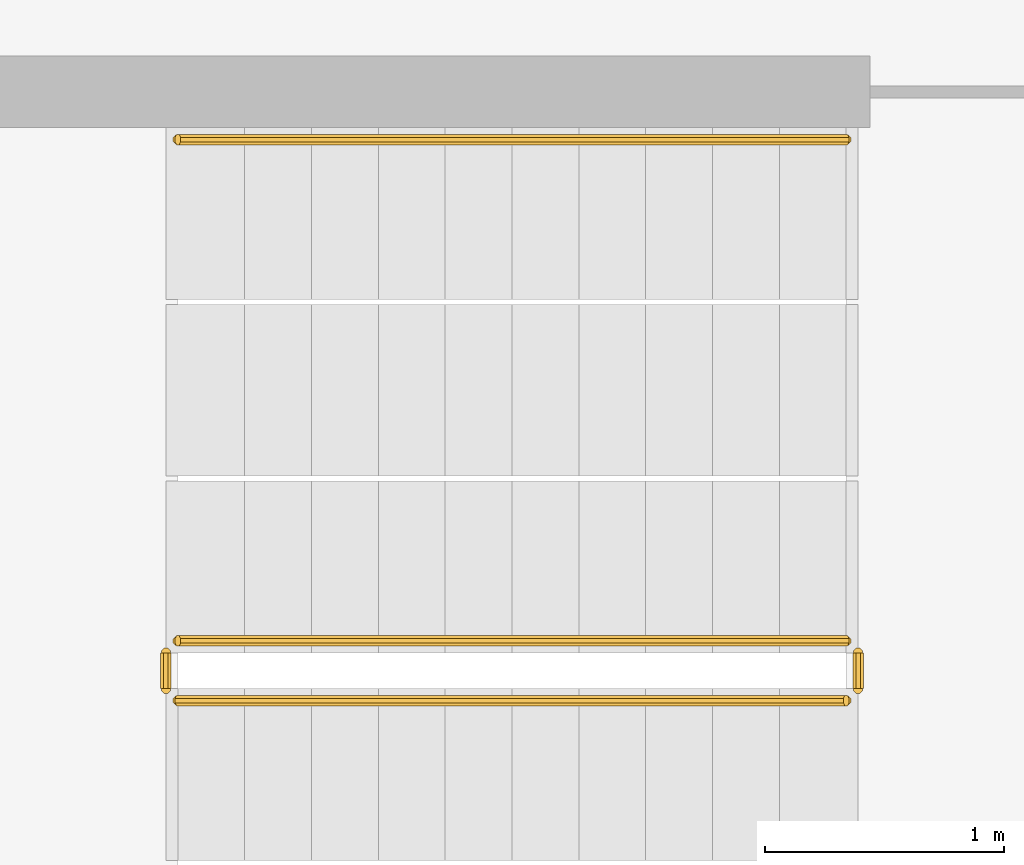
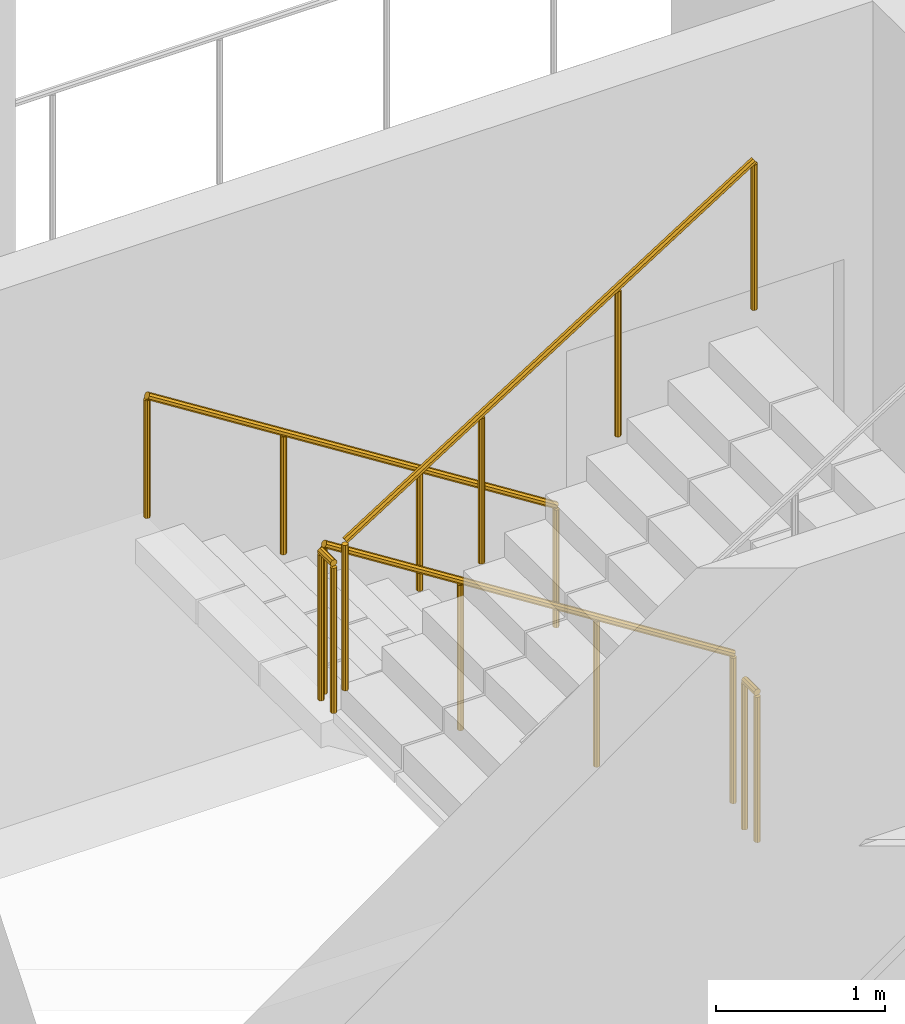
# One storey, part 19 of 26: 5 railings.
"""IFC4 building model written with IfcOpenShell, lengths in metres."""

from ifc_helpers import new_model, si_unit, direction, frame, origin, place, context, subcontext, project, spatial, polyline, outline, extrude, material, type_object, element, save


model = new_model("IFC4")

# Units and contexts
model_context = context("Model", 3, precision=1e-05, world=origin(), true_north=direction((0.0, 1.0)))
body_context = subcontext(model_context, "Body", "Model", "MODEL_VIEW")
ifc_project = project(units=[si_unit("LENGTHUNIT", "METRE"), si_unit("AREAUNIT", "SQUARE_METRE"), si_unit("VOLUMEUNIT", "CUBIC_METRE"), si_unit("PLANEANGLEUNIT", "RADIAN"), si_unit("MASSUNIT", "GRAM", prefix="KILO")], contexts=[model_context])

# Site, building, storey
site_placement = place(None, origin())
site = spatial("IfcSite", under=ifc_project, at=site_placement, CompositionType="ELEMENT")
building_placement = place(site_placement, origin())
building = spatial("IfcBuilding", under=site, at=building_placement, Name="Cormorant Relay Tower", CompositionType="ELEMENT")
storey_placement = place(building_placement, frame((0.0, 0.0, 220.800048828125)))
storey = spatial("IfcBuildingStorey", under=building, at=storey_placement, Name="L48", CompositionType="ELEMENT", Elevation=220.800048828125)

# Railings
ifc_material_1 = material(Name="Steel ASTM A572 Grade 50 (Fy 345 MPa)", Category="steel")
railing_type_1 = type_object("IfcRailingType", Name="Stair guard 1100", PredefinedType="GUARDRAIL", material=ifc_material_1)
railing_1_placement = place(storey_placement, frame((1.60009765625, -18.27490234375, 0.17724609375)))
element("IfcRailing", 1, at=railing_1_placement, inside=storey, type_object=railing_type_1, Name="L48 RK1 stair guard 1", PredefinedType="GUARDRAIL", context=body_context, shape_type="SweptSolid", body=[
    extrude(outline(polyline([(0.022216796875, 0.00927734375), (0.00927734375, 0.022216796875), (-0.00927734375, 0.022216796875), (-0.022216796875, 0.00927734375), (-0.022216796875, -0.00927734375), (-0.00927734375, -0.022216796875), (0.00927734375, -0.022216796875), (0.022216796875, -0.00927734375), (0.022216796875, 0.00927734375)])), frame((0.0, 0.0, 1.076171875), z_axis=(-0.844908973607, 0.0, 0.534910110503), x_axis=(0.0, -1.0, 0.0)), (0.0, 0.0, 1.0), 3.31396484375),
    extrude(outline(polyline([(0.019287109375, 0.008056640625), (0.008056640625, 0.019287109375), (-0.008056640625, 0.019287109375), (-0.019287109375, 0.008056640625), (-0.019287109375, -0.008056640625), (-0.008056640625, -0.019287109375), (0.008056640625, -0.019287109375), (0.019287109375, -0.008056640625), (0.019287109375, 0.008056640625)])), origin(), (0.0, 0.0, 1.0), 1.052001953125),
    extrude(outline(polyline([(0.019287109375, 0.008056640625), (0.008056640625, 0.019287109375), (-0.008056640625, 0.019287109375), (-0.019287109375, 0.008056640625), (-0.019287109375, -0.008056640625), (-0.008056640625, -0.019287109375), (0.008056640625, -0.019287109375), (0.019287109375, -0.008056640625), (0.019287109375, 0.008056640625)])), frame((-0.933349609375, 0.0, 0.5908203125)), (0.0, 0.0, 1.0), 1.052001953125),
    extrude(outline(polyline([(0.019287109375, 0.008056640625), (0.008056640625, 0.019287109375), (-0.008056640625, 0.019287109375), (-0.019287109375, 0.008056640625), (-0.019287109375, -0.008056640625), (-0.008056640625, -0.019287109375), (0.008056640625, -0.019287109375), (0.019287109375, -0.008056640625), (0.019287109375, 0.008056640625)])), frame((-1.86669921875, 0.0, 1.181884765625)), (0.0, 0.0, 1.0), 1.052001953125),
    extrude(outline(polyline([(0.019287109375, 0.008056640625), (0.008056640625, 0.019287109375), (-0.008056640625, 0.019287109375), (-0.019287109375, 0.008056640625), (-0.019287109375, -0.008056640625), (-0.008056640625, -0.019287109375), (0.008056640625, -0.019287109375), (0.019287109375, -0.008056640625), (0.019287109375, 0.008056640625)])), frame((-2.800048828125, 0.0, 1.772705078125)), (0.0, 0.0, 1.0), 1.052001953125),
])
railing_2_placement = place(storey_placement, frame((-1.25, -18.324951171875, 1.949951171875)))
element("IfcRailing", 2, at=railing_2_placement, inside=storey, type_object=railing_type_1, Name="L48 RK1 stair guard 2", PredefinedType="GUARDRAIL", context=body_context, shape_type="SweptSolid", body=[
    extrude(outline(polyline([(0.022216796875, 0.00927734375), (0.00927734375, 0.022216796875), (-0.00927734375, 0.022216796875), (-0.022216796875, 0.00927734375), (-0.022216796875, -0.00927734375), (-0.00927734375, -0.022216796875), (0.00927734375, -0.022216796875), (0.022216796875, -0.00927734375), (0.022216796875, 0.00927734375)])), frame((0.0, 0.0, 1.076171875), z_axis=(0.0, -1.0, 0.0), x_axis=(1.0, 0.0, 0.0)), (0.0, 0.0, 1.0), 0.150146484375),
    extrude(outline(polyline([(0.019287109375, 0.008056640625), (0.008056640625, 0.019287109375), (-0.008056640625, 0.019287109375), (-0.019287109375, 0.008056640625), (-0.019287109375, -0.008056640625), (-0.008056640625, -0.019287109375), (0.008056640625, -0.019287109375), (0.019287109375, -0.008056640625), (0.019287109375, 0.008056640625)])), origin(), (0.0, 0.0, 1.0), 1.052001953125),
    extrude(outline(polyline([(0.019287109375, 0.008056640625), (0.008056640625, 0.019287109375), (-0.008056640625, 0.019287109375), (-0.019287109375, 0.008056640625), (-0.019287109375, -0.008056640625), (-0.008056640625, -0.019287109375), (0.008056640625, -0.019287109375), (0.019287109375, -0.008056640625), (0.019287109375, 0.008056640625)])), frame((0.0, -0.150146484375, 0.0)), (0.0, 0.0, 1.0), 1.052001953125),
])
railing_3_placement = place(storey_placement, frame((-1.199951171875, -18.52490234375, 2.127197265625)))
element("IfcRailing", 3, at=railing_3_placement, inside=storey, type_object=railing_type_1, Name="L48 RK1 stair guard 3", PredefinedType="GUARDRAIL", context=body_context, shape_type="SweptSolid", body=[
    extrude(outline(polyline([(0.022216796875, 0.00927734375), (0.00927734375, 0.022216796875), (-0.00927734375, 0.022216796875), (-0.022216796875, 0.00927734375), (-0.022216796875, -0.00927734375), (-0.00927734375, -0.022216796875), (0.00927734375, -0.022216796875), (0.022216796875, -0.00927734375), (0.022216796875, 0.00927734375)])), frame((0.0, 0.0, 1.076171875), z_axis=(0.844908973607, 0.0, 0.534910110503), x_axis=(0.0, 1.0, 0.0)), (0.0, 0.0, 1.0), 3.31396484375),
    extrude(outline(polyline([(0.019287109375, 0.008056640625), (0.008056640625, 0.019287109375), (-0.008056640625, 0.019287109375), (-0.019287109375, 0.008056640625), (-0.019287109375, -0.008056640625), (-0.008056640625, -0.019287109375), (0.008056640625, -0.019287109375), (0.019287109375, -0.008056640625), (0.019287109375, 0.008056640625)])), origin(), (0.0, 0.0, 1.0), 1.052001953125),
    extrude(outline(polyline([(0.019287109375, 0.008056640625), (0.008056640625, 0.019287109375), (-0.008056640625, 0.019287109375), (-0.019287109375, 0.008056640625), (-0.019287109375, -0.008056640625), (-0.008056640625, -0.019287109375), (0.008056640625, -0.019287109375), (0.019287109375, -0.008056640625), (0.019287109375, 0.008056640625)])), frame((0.933349609375, 0.0, 0.5908203125)), (0.0, 0.0, 1.0), 1.052001953125),
    extrude(outline(polyline([(0.019287109375, 0.008056640625), (0.008056640625, 0.019287109375), (-0.008056640625, 0.019287109375), (-0.019287109375, 0.008056640625), (-0.019287109375, -0.008056640625), (-0.008056640625, -0.019287109375), (0.008056640625, -0.019287109375), (0.019287109375, -0.008056640625), (0.019287109375, 0.008056640625)])), frame((1.86669921875, 0.0, 1.181884765625)), (0.0, 0.0, 1.0), 1.052001953125),
    extrude(outline(polyline([(0.019287109375, 0.008056640625), (0.008056640625, 0.019287109375), (-0.008056640625, 0.019287109375), (-0.019287109375, 0.008056640625), (-0.019287109375, -0.008056640625), (-0.008056640625, -0.019287109375), (0.008056640625, -0.019287109375), (0.019287109375, -0.008056640625), (0.019287109375, 0.008056640625)])), frame((2.800048828125, 0.0, 1.772705078125)), (0.0, 0.0, 1.0), 1.052001953125),
])
railing_4_placement = place(storey_placement, frame((1.64990234375, -18.324951171875, 0.0)))
element("IfcRailing", 4, at=railing_4_placement, inside=storey, type_object=railing_type_1, Name="L48 RK1 stair guard 4", PredefinedType="GUARDRAIL", context=body_context, shape_type="SweptSolid", body=[
    extrude(outline(polyline([(0.022216796875, 0.00927734375), (0.00927734375, 0.022216796875), (-0.00927734375, 0.022216796875), (-0.022216796875, 0.00927734375), (-0.022216796875, -0.00927734375), (-0.00927734375, -0.022216796875), (0.00927734375, -0.022216796875), (0.022216796875, -0.00927734375), (0.022216796875, 0.00927734375)])), frame((0.0, 0.0, 1.076171875), z_axis=(0.0, -1.0, 0.0), x_axis=(1.0, 0.0, 0.0)), (0.0, 0.0, 1.0), 0.150146484375),
    extrude(outline(polyline([(0.019287109375, 0.008056640625), (0.008056640625, 0.019287109375), (-0.008056640625, 0.019287109375), (-0.019287109375, 0.008056640625), (-0.019287109375, -0.008056640625), (-0.008056640625, -0.019287109375), (0.008056640625, -0.019287109375), (0.019287109375, -0.008056640625), (0.019287109375, 0.008056640625)])), origin(), (0.0, 0.0, 1.0), 1.052001953125),
    extrude(outline(polyline([(0.019287109375, 0.008056640625), (0.008056640625, 0.019287109375), (-0.008056640625, 0.019287109375), (-0.019287109375, 0.008056640625), (-0.019287109375, -0.008056640625), (-0.008056640625, -0.019287109375), (0.008056640625, -0.019287109375), (0.019287109375, -0.008056640625), (0.019287109375, 0.008056640625)])), frame((0.0, -0.150146484375, 0.0)), (0.0, 0.0, 1.0), 1.052001953125),
])
ifc_material_2 = material(Name="Steel ASTM A572 Grade 50 (Fy 345 MPa)", Category="steel")
railing_type_2 = type_object("IfcRailingType", Name="Stair handrail 900", PredefinedType="HANDRAIL", material=ifc_material_2)
railing_5_placement = place(storey_placement, frame((1.60009765625, -16.175048828125, 0.17724609375)))
element("IfcRailing", 5, at=railing_5_placement, inside=storey, type_object=railing_type_2, Name="L48 RK1 stair handrail 1", PredefinedType="HANDRAIL", context=body_context, shape_type="SweptSolid", body=[
    extrude(outline(polyline([(0.022216796875, 0.00927734375), (0.00927734375, 0.022216796875), (-0.00927734375, 0.022216796875), (-0.022216796875, 0.00927734375), (-0.022216796875, -0.00927734375), (-0.00927734375, -0.022216796875), (0.00927734375, -0.022216796875), (0.022216796875, -0.00927734375), (0.022216796875, 0.00927734375)])), frame((0.0, 0.0, 0.8759765625), z_axis=(-0.844908973607, 0.0, 0.534910110503), x_axis=(0.0, -1.0, 0.0)), (0.0, 0.0, 1.0), 3.31396484375),
    extrude(outline(polyline([(0.019287109375, 0.008056640625), (0.008056640625, 0.019287109375), (-0.008056640625, 0.019287109375), (-0.019287109375, 0.008056640625), (-0.019287109375, -0.008056640625), (-0.008056640625, -0.019287109375), (0.008056640625, -0.019287109375), (0.019287109375, -0.008056640625), (0.019287109375, 0.008056640625)])), origin(), (0.0, 0.0, 1.0), 0.851806640625),
    extrude(outline(polyline([(0.019287109375, 0.008056640625), (0.008056640625, 0.019287109375), (-0.008056640625, 0.019287109375), (-0.019287109375, 0.008056640625), (-0.019287109375, -0.008056640625), (-0.008056640625, -0.019287109375), (0.008056640625, -0.019287109375), (0.019287109375, -0.008056640625), (0.019287109375, 0.008056640625)])), frame((-0.933349609375, 0.0, 0.5908203125)), (0.0, 0.0, 1.0), 0.851806640625),
    extrude(outline(polyline([(0.019287109375, 0.008056640625), (0.008056640625, 0.019287109375), (-0.008056640625, 0.019287109375), (-0.019287109375, 0.008056640625), (-0.019287109375, -0.008056640625), (-0.008056640625, -0.019287109375), (0.008056640625, -0.019287109375), (0.019287109375, -0.008056640625), (0.019287109375, 0.008056640625)])), frame((-1.86669921875, 0.0, 1.181884765625)), (0.0, 0.0, 1.0), 0.851806640625),
    extrude(outline(polyline([(0.019287109375, 0.008056640625), (0.008056640625, 0.019287109375), (-0.008056640625, 0.019287109375), (-0.019287109375, 0.008056640625), (-0.019287109375, -0.008056640625), (-0.008056640625, -0.019287109375), (0.008056640625, -0.019287109375), (0.019287109375, -0.008056640625), (0.019287109375, 0.008056640625)])), frame((-2.800048828125, 0.0, 1.772705078125)), (0.0, 0.0, 1.0), 0.851806640625),
])

save(model, "model.ifc")
